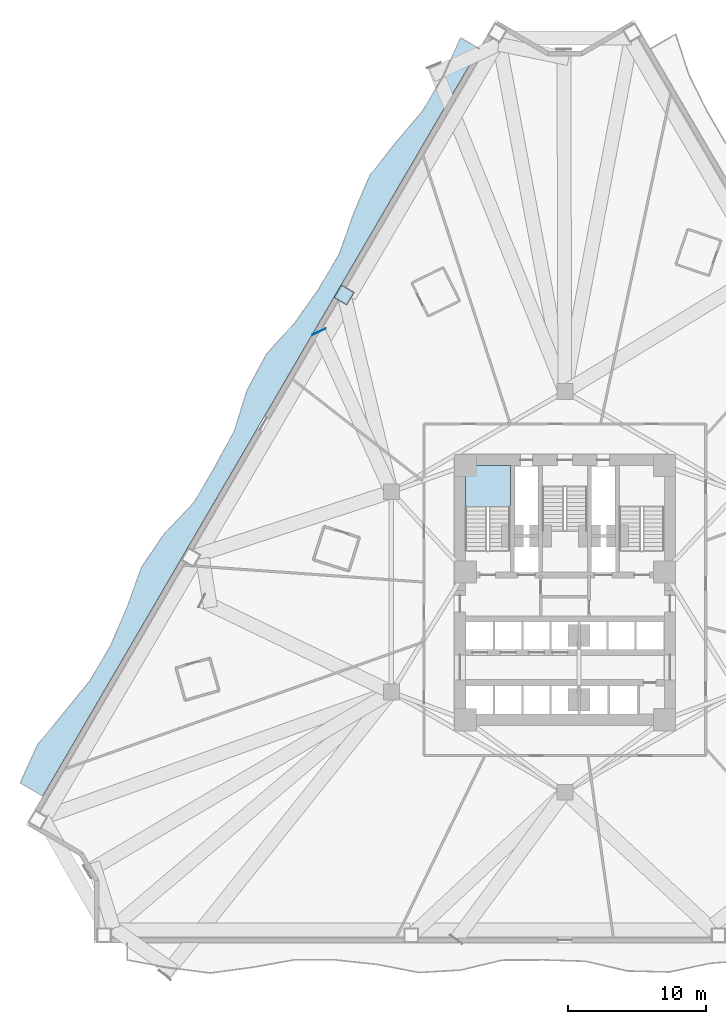
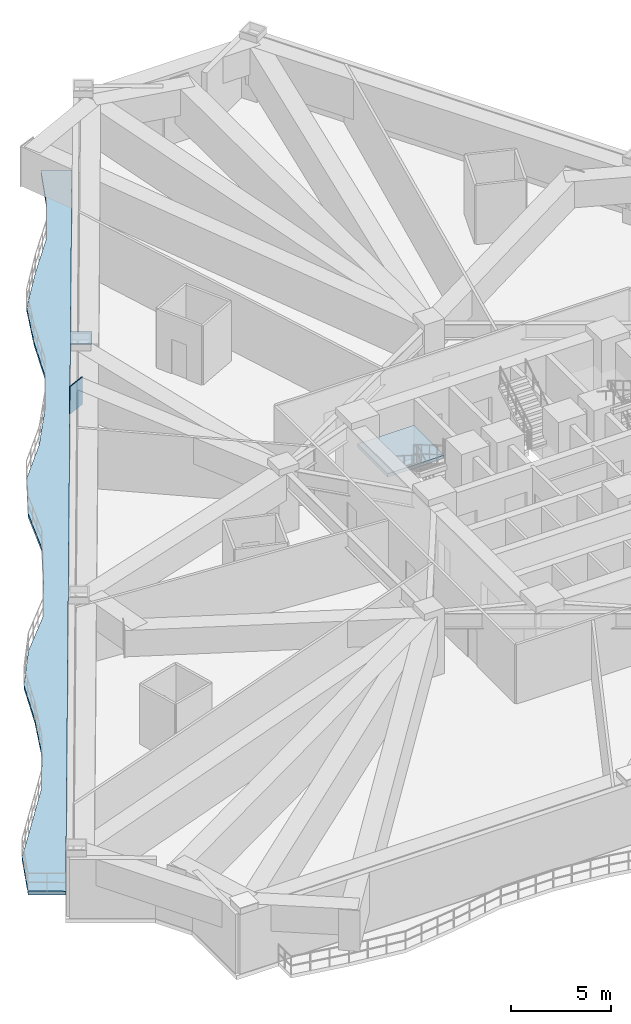
# One storey, part 4 of 16: 2 plates, 2 slabs, 1 element without a shape of its own.
"""IFC4 building model written with IfcOpenShell, lengths in metres."""

from ifc_helpers import new_model, si_unit, direction, frame, origin, origin_2d, place, context, subcontext, project, spatial, polyline, rectangle, outline, extrude, material, layer, layer_set, type_object, element, aggregate, save


model = new_model("IFC4")

# Units and contexts
model_context = context("Model", 3, precision=1e-05, world=origin(), true_north=direction((0.0, 1.0)))
body_context = subcontext(model_context, "Body", "Model", "MODEL_VIEW")
ifc_project = project(units=[si_unit("LENGTHUNIT", "METRE"), si_unit("AREAUNIT", "SQUARE_METRE"), si_unit("VOLUMEUNIT", "CUBIC_METRE"), si_unit("PLANEANGLEUNIT", "RADIAN"), si_unit("MASSUNIT", "GRAM", prefix="KILO")], contexts=[model_context])

# Site, building, storey
site_placement = place(None, origin())
site = spatial("IfcSite", under=ifc_project, at=site_placement, CompositionType="ELEMENT")
building_placement = place(site_placement, origin())
building = spatial("IfcBuilding", under=site, at=building_placement, Name="Apsidion Concourse Tower", CompositionType="ELEMENT")
storey_placement = place(building_placement, frame((0.0, 0.0, 58.39990234375)))
storey = spatial("IfcBuildingStorey", under=building, at=storey_placement, Name="L12", CompositionType="ELEMENT", Elevation=58.39990234375)

# Plates
ifc_material_1 = material(Name="Structural steel ASTM A572 Grade 50", Category="steel")
ifc_layer_1 = layer(ifc_material_1, 0.034912109375)
ifc_layer_set_1 = layer_set([ifc_layer_1], Name="Structural steel ASTM A572 Grade 50")
plate_type = type_object("IfcPlateType", Name="PL-ENDCAP-35", PredefinedType="USERDEFINED", material=ifc_layer_set_1)
plate_1_placement = place(storey_placement, frame((-15.976318359375, 21.49365234375, 3.998046875), z_axis=(0.0, 0.0, 1.0), x_axis=(0.50437692518, 0.863483594138, 0.0)))
element("IfcPlate", 1, at=plate_1_placement, inside=storey, type_object=plate_type, Name="L12 Step-Top Column End-Cap Plate PCCAP-PC02", ObjectType="FLANGE_PLATE", PredefinedType="USERDEFINED", context=body_context, shape_type="SweptSolid", body=[
    extrude(rectangle(XDim=1.080078125, YDim=1.080078125, at=origin_2d()), origin(), (0.0, 0.0, 1.0), 0.0400390625),
])
plate_2_placement = place(storey_placement, frame((-17.7998046875, 18.830078125, 1.9599609375), z_axis=(0.0, 0.0, 1.0), x_axis=(-0.412309551211, 0.911043815621, 0.0)))
element("IfcPlate", 2, at=plate_2_placement, inside=storey, type_object=plate_type, Name="L12 Radial Transfer Girder End-Cap Plate NTRCAP-02", ObjectType="FLANGE_PLATE", PredefinedType="USERDEFINED", context=body_context, shape_type="SweptSolid", body=[
    extrude(rectangle(XDim=0.044921875, YDim=1.080078125, at=origin_2d()), origin(), (0.0, 0.0, 1.0), 1.679931640625),
])

# Slab
ifc_material_2 = material(Name="Concrete C50/60", Category="concrete")
ifc_layer_2 = layer(ifc_material_2, 0.219970703125)
ifc_layer_set_2 = layer_set([ifc_layer_2], Name="Concrete C50/60")
slab_type_1 = type_object("IfcSlabType", Name="SL-BAL-220", PredefinedType="FLOOR", material=ifc_layer_set_2)
slab_1_placement = place(storey_placement, frame((0.0, 0.0, -0.219970703125)))
element("IfcSlab", 3, at=slab_1_placement, inside=storey, type_object=slab_type_1, Name="L12 Face 1 Rippling Balcony Slab", PredefinedType="FLOOR", context=body_context, shape_type="SweptSolid", body=[
    extrude(outline(polyline([(-6.204833984375, 39.32275390625), (-7.708740234375, 36.746826171875), (-9.212890625, 34.1708984375), (-10.716796875, 31.594970703125), (-12.220947265625, 29.018798828125), (-13.724853515625, 26.44287109375), (-15.22900390625, 23.866943359375), (-16.73291015625, 21.291015625), (-18.237060546875, 18.715087890625), (-19.740966796875, 16.138916015625), (-21.2451171875, 13.56298828125), (-22.7490234375, 10.987060546875), (-24.253173828125, 8.410888671875), (-25.757080078125, 5.8349609375), (-27.260986328125, 3.259033203125), (-28.76513671875, 0.68310546875), (-30.269287109375, -1.892822265625), (-31.773193359375, -4.468994140625), (-33.277099609375, -7.044921875), (-34.78125, -9.620849609375), (-36.285400390625, -12.19677734375), (-37.789306640625, -14.772705078125), (-39.413330078125, -13.82470703125), (-38.18017578125, -11.090576171875), (-36.266845703125, -8.75341796875), (-34.356689453125, -6.41455078125), (-32.852783203125, -3.838623046875), (-31.66796875, -1.076416015625), (-30.641357421875, 1.778564453125), (-28.95751953125, 4.24951171875), (-26.836669921875, 6.46533203125), (-25.33251953125, 9.041259765625), (-23.91162109375, 11.665771484375), (-23.006103515625, 14.59130859375), (-21.584228515625, 17.215087890625), (-19.54541015625, 19.47900390625), (-17.8125, 21.921142578125), (-16.308349609375, 24.497314453125), (-15.295654296875, 27.35986328125), (-14.12060546875, 30.1279296875), (-12.259765625, 32.49560546875), (-10.292236328125, 34.801025390625), (-8.788330078125, 37.377197265625), (-7.54345703125, 40.104248046875), (-6.204833984375, 39.32275390625)])), origin(), (0.0, 0.0, 1.0), 0.219970703125),
])

# Stair, slab
ifc_material_3 = material(Name="Precast concrete C40/50", Category="concrete")
stair_type = type_object("IfcStairType", Name="ST-DL-1550", PredefinedType="HALF_TURN_STAIR", material=ifc_material_3)
stair_placement = place(storey_placement, origin())
stair = element("IfcStair", 4, at=stair_placement, inside=storey, type_object=stair_type, Name="L12 Protected Core Exit Stair ST1", PredefinedType="HALF_TURN_STAIR")
ifc_layer_3 = layer(ifc_material_2, 0.199951171875)
ifc_layer_set_3 = layer_set([ifc_layer_3], Name="Concrete C50/60")
slab_type_2 = type_object("IfcSlabType", Name="SL-ST-LAND-200", PredefinedType="LANDING", material=ifc_layer_set_3)
slab_2_placement = place(storey_placement, frame((0.0, 0.0, 1.800048828125)))
slab_2 = element("IfcSlab", 5, at=slab_2_placement, type_object=slab_type_2, Name="ST1 landing 1", PredefinedType="LANDING", context=body_context, shape_type="SweptSolid", body=[
    extrude(outline(polyline([(-3.949951171875, 6.135009765625), (-3.949951171875, 9.14990234375), (-7.199951171875, 9.14990234375), (-7.199951171875, 6.135009765625), (-3.949951171875, 6.135009765625)])), origin(), (0.0, 0.0, 1.0), 0.199951171875),
])
aggregate(stair, [slab_2])

save(model, "model.ifc")
